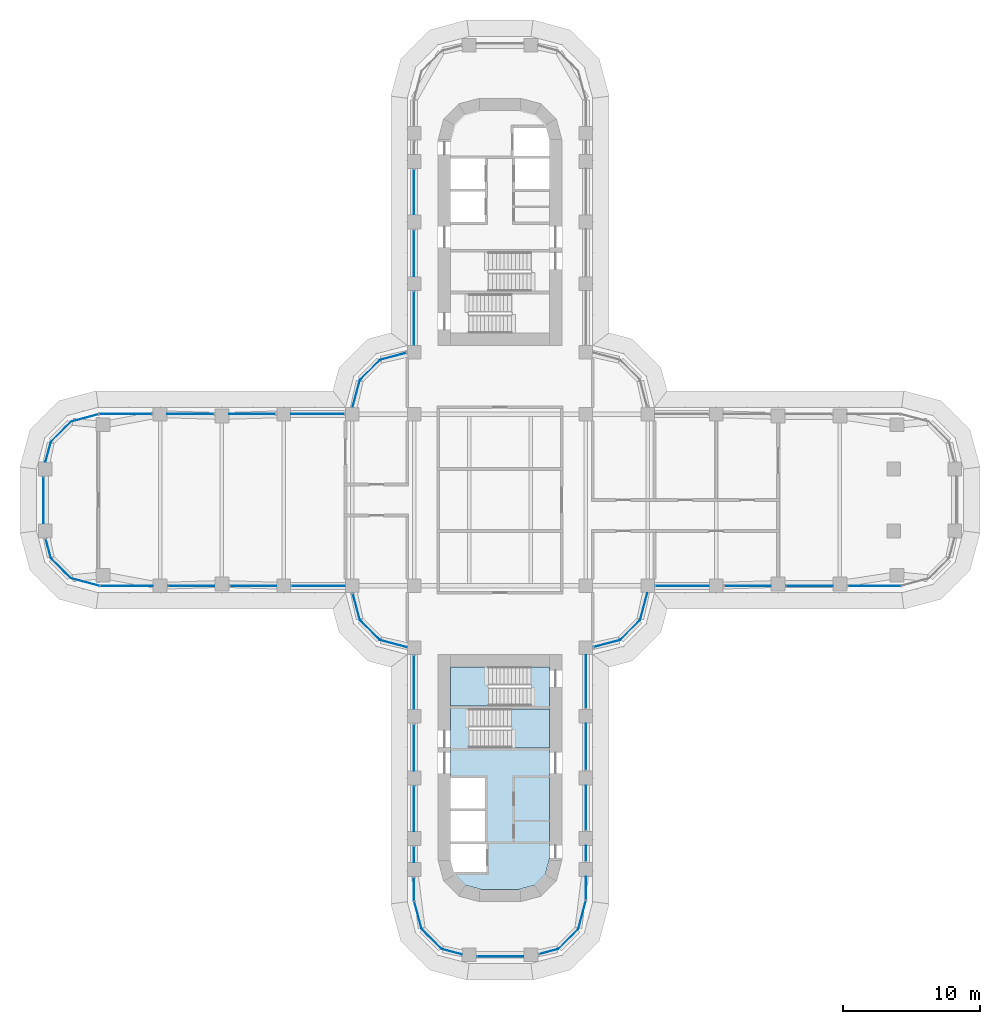
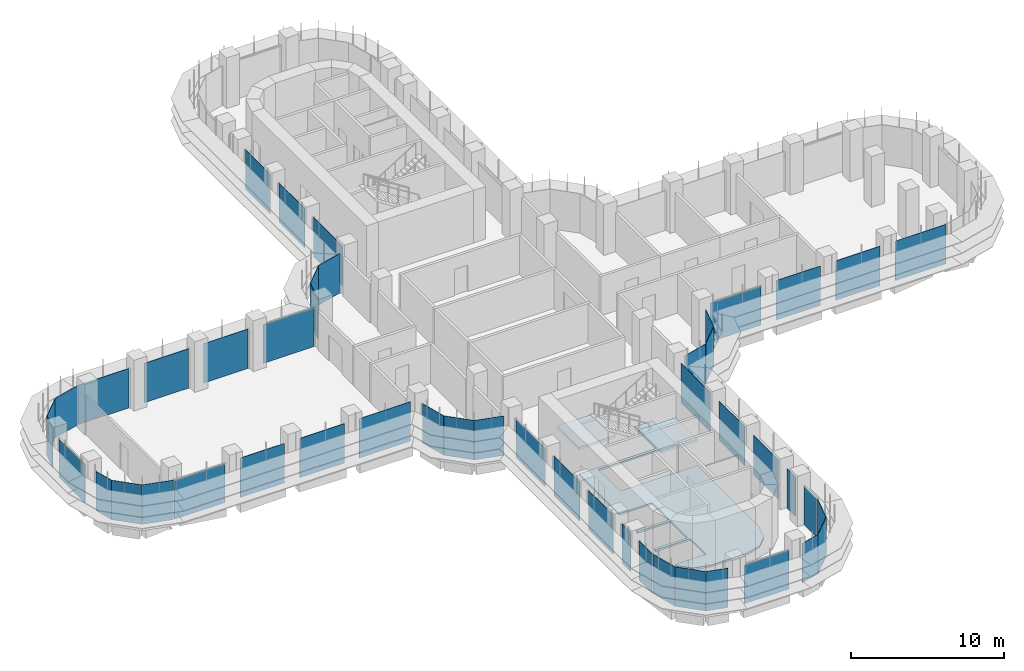
# One storey, part 13 of 23: 48 plates, 3 slabs, 31 elements without a shape of their own.
"""IFC4 building model written with IfcOpenShell, lengths in metres."""

from ifc_helpers import new_model, si_unit, direction, frame, origin, place, context, subcontext, project, spatial, polyline, outline, extrude, source, transform, mapped, material, layer, layer_set, type_object, element, aggregate, save


model = new_model("IFC4")

# Units and contexts
model_context = context("Model", 3, precision=1e-05, world=origin(), true_north=direction((0.0, 1.0)))
body_context = subcontext(model_context, "Body", "Model", "MODEL_VIEW")
ifc_project = project(units=[si_unit("LENGTHUNIT", "METRE"), si_unit("AREAUNIT", "SQUARE_METRE"), si_unit("VOLUMEUNIT", "CUBIC_METRE"), si_unit("PLANEANGLEUNIT", "RADIAN"), si_unit("MASSUNIT", "GRAM", prefix="KILO")], contexts=[model_context])

# Site, building, storey
site_placement = place(None, origin())
site = spatial("IfcSite", under=ifc_project, at=site_placement, CompositionType="ELEMENT")
building_placement = place(site_placement, origin())
building = spatial("IfcBuilding", under=site, at=building_placement, Name="Zarbagh Exchange Tower", CompositionType="ELEMENT")
storey_placement = place(building_placement, frame((0.0, 0.0, 69.0)))
storey = spatial("IfcBuildingStorey", under=building, at=storey_placement, Name="L15", CompositionType="ELEMENT", Elevation=69.0)

# Slab
ifc_material_1 = material(Name="Concrete C40/50", Category="concrete")
ifc_layer_1 = layer(ifc_material_1, 0.14990234375)
ifc_layer_set_1 = layer_set([ifc_layer_1], Name="Core floor slab 150 C40/50")
slab_type_1 = type_object("IfcSlabType", Name="Core floor slab 150 C40/50", PredefinedType="FLOOR", material=ifc_layer_set_1)
slab_1_placement = place(storey_placement, frame((0.0, 0.0, -0.14990234375)))
element("IfcSlab", 1, at=slab_1_placement, inside=storey, type_object=slab_type_1, Name="S17 core S", PredefinedType="FLOOR", context=body_context, shape_type="SweptSolid", body=[
    extrude(outline(polyline([(-2.5341796875, -28.041259765625), (-3.291259765625, -27.2841796875), (-3.340576171875, -27.10009765625), (-1.0, -27.10009765625), (-1.0, -25.050048828125), (-3.60009765625, -25.050048828125), (-3.60009765625, -24.85009765625), (-1.10009765625, -24.85009765625), (-1.10009765625, -22.64990234375), (-3.60009765625, -22.64990234375), (-3.60009765625, -22.449951171875), (-1.10009765625, -22.449951171875), (-1.10009765625, -20.25), (-3.60009765625, -20.25), (-3.60009765625, -15.0), (2.25, -15.0), (2.25, -12.14990234375), (3.60009765625, -12.14990234375), (3.60009765625, -15.199951171875), (-2.25, -15.199951171875), (-2.25, -18.050048828125), (3.60009765625, -18.050048828125), (3.60009765625, -26.131591796875), (3.291259765625, -27.2841796875), (2.5341796875, -28.041259765625), (1.381591796875, -28.35009765625), (-1.381591796875, -28.35009765625), (-2.5341796875, -28.041259765625)])), origin(), (0.0, 0.0, 1.0), 0.14990234375),
])

# Stair, slab
stair_type = type_object("IfcStairType", Name="Exit stair two-flight half-turn", PredefinedType="HALF_TURN_STAIR", material=ifc_material_1)
stair_1_placement = place(storey_placement, origin())
stair_1 = element("IfcStair", 2, at=stair_1_placement, inside=storey, type_object=stair_type, Name="exit stair ST3", PredefinedType="HALF_TURN_STAIR")
ifc_layer_2 = layer(ifc_material_1, 0.199951171875)
ifc_layer_set_2 = layer_set([ifc_layer_2], Name="Stair landing 200 mm")
slab_type_2 = type_object("IfcSlabType", Name="Stair landing 200 mm", PredefinedType="LANDING", material=ifc_layer_set_2)
slab_2_placement = place(storey_placement, frame((0.0, 0.0, 1.89990234375)))
slab_2 = element("IfcSlab", 3, at=slab_2_placement, type_object=slab_type_2, Name="ST3 landing 1", PredefinedType="LANDING", context=body_context, shape_type="SweptSolid", body=[
    extrude(outline(polyline([(0.830078125, -18.050048828125), (3.60009765625, -18.050048828125), (3.60009765625, -15.199951171875), (0.830078125, -15.199951171875), (0.830078125, -18.050048828125)])), origin(), (0.0, 0.0, 1.0), 0.2001953125),
])
aggregate(stair_1, [slab_2])

stair_2_placement = place(storey_placement, origin())
stair_2 = element("IfcStair", 4, at=stair_2_placement, inside=storey, type_object=stair_type, Name="exit stair ST4", PredefinedType="HALF_TURN_STAIR")
slab_3_placement = place(storey_placement, frame((0.0, 0.0, 1.89990234375)))
slab_3 = element("IfcSlab", 5, at=slab_3_placement, type_object=slab_type_2, Name="ST4 landing 1", PredefinedType="LANDING", context=body_context, shape_type="SweptSolid", body=[
    extrude(outline(polyline([(-0.830078125, -12.14990234375), (-3.60009765625, -12.14990234375), (-3.60009765625, -15.0), (-0.830078125, -15.0), (-0.830078125, -12.14990234375)])), origin(), (0.0, 0.0, 1.0), 0.2001953125),
])
aggregate(stair_2, [slab_3])

# Curtain wall, plate
ifc_material_2 = material(Name="Anodised aluminium frame and glazing", Category="aluminium")
curtain_wall_type = type_object("IfcCurtainWallType", Name="CWA Ribbon glazing, lower zones", PredefinedType="NOTDEFINED", material=ifc_material_2)
curtain_wall_1_placement = place(storey_placement, origin())
curtain_wall_1 = element("IfcCurtainWall", 6, at=curtain_wall_1_placement, inside=storey, type_object=curtain_wall_type, Name="CWA01 curtain wall", PredefinedType="NOTDEFINED")
ifc_material_3 = material(Name="Low-e double glazed unit, 6+12+6 mm")
ifc_layer_3 = layer(ifc_material_3, 0.028076171875)
ifc_layer_set_3 = layer_set([ifc_layer_3], Name="PAA Glazing panel, Low-e double glazed unit, 6+12+6 mm")
plate_type = type_object("IfcPlateType", Name="PAA Glazing panel, Low-e double glazed unit, 6+12+6 mm", PredefinedType="CURTAIN_PANEL", material=ifc_layer_set_3)
shared_shape_1 = source(origin(), body_context, "Body", "SweptSolid", [
    extrude(outline(polyline([(0.0, -0.013916015625), (1.4423828125, -0.013916015625), (1.4423828125, 0.013916015625), (0.0, 0.013916015625), (0.0, -0.013916015625)])), origin(), (0.0, 0.0, 1.0), 3.14990234375),
])
placement = place(storey_placement, origin())
plate_1 = element("IfcPlate", 7, at=placement, type_object=plate_type, Name="CWA01 glazing panel 1.1", PredefinedType="CURTAIN_PANEL", context=body_context, shape_type="MappedRepresentation", body=[
    mapped(shared_shape_1, transform((2.847900390625, -33.072021484375, 0.0), x_axis=(0.965924289636, 0.258824779902, 0.0), y_axis=(-0.258824779902, 0.965924289636, 0.0), z_axis=(0.0, 0.0, 1.0))),
])
aggregate(curtain_wall_1, [plate_1])

curtain_wall_2_placement = place(storey_placement, origin())
curtain_wall_2 = element("IfcCurtainWall", 8, at=curtain_wall_2_placement, inside=storey, type_object=curtain_wall_type, Name="CWA37 curtain wall", PredefinedType="NOTDEFINED")
plate_2 = element("IfcPlate", 9, at=placement, type_object=plate_type, Name="CWA37 glazing panel 1.1", PredefinedType="CURTAIN_PANEL", context=body_context, shape_type="MappedRepresentation", body=[
    mapped(shared_shape_1, transform((-33.072021484375, -2.847900390625, 0.0), x_axis=(0.258824779902, -0.965924289636, 0.0), y_axis=(0.965924289636, 0.258824779902, 0.0), z_axis=(0.0, 0.0, 1.0))),
])
aggregate(curtain_wall_2, [plate_2])

curtain_wall_3_placement = place(storey_placement, origin())
curtain_wall_3 = element("IfcCurtainWall", 10, at=curtain_wall_3_placement, inside=storey, type_object=curtain_wall_type, Name="CWA02 curtain wall", PredefinedType="NOTDEFINED")
shared_shape_2 = source(origin(), body_context, "Body", "SweptSolid", [
    extrude(outline(polyline([(0.0, -0.013916015625), (2.061279296875, -0.013916015625), (2.061279296875, 0.013916015625), (0.0, 0.013916015625), (0.0, -0.013916015625)])), origin(), (0.0, 0.0, 1.0), 3.14990234375),
])
plate_3 = element("IfcPlate", 11, at=placement, type_object=plate_type, Name="CWA02 glazing panel 1.1", PredefinedType="CURTAIN_PANEL", context=body_context, shape_type="MappedRepresentation", body=[
    mapped(shared_shape_2, transform((4.2412109375, -32.69873046875, 0.0), x_axis=(0.707106781187, 0.707106781187, 0.0), y_axis=(-0.707106781187, 0.707106781187, 0.0), z_axis=(0.0, 0.0, 1.0))),
])
aggregate(curtain_wall_3, [plate_3])

curtain_wall_4_placement = place(storey_placement, origin())
curtain_wall_4 = element("IfcCurtainWall", 12, at=curtain_wall_4_placement, inside=storey, type_object=curtain_wall_type, Name="CWA06 curtain wall", PredefinedType="NOTDEFINED")
plate_4 = element("IfcPlate", 13, at=placement, type_object=plate_type, Name="CWA06 glazing panel 1.1", PredefinedType="CURTAIN_PANEL", context=body_context, shape_type="MappedRepresentation", body=[
    mapped(shared_shape_2, transform((8.7412109375, -10.19873046875, 0.0), x_axis=(0.707106781187, 0.707106781187, 0.0), y_axis=(-0.707106781187, 0.707106781187, 0.0), z_axis=(0.0, 0.0, 1.0))),
])
aggregate(curtain_wall_4, [plate_4])

curtain_wall_5_placement = place(storey_placement, origin())
curtain_wall_5 = element("IfcCurtainWall", 14, at=curtain_wall_5_placement, inside=storey, type_object=curtain_wall_type, Name="CWA30 curtain wall", PredefinedType="NOTDEFINED")
plate_5 = element("IfcPlate", 15, at=placement, type_object=plate_type, Name="CWA30 glazing panel 1.1", PredefinedType="CURTAIN_PANEL", context=body_context, shape_type="MappedRepresentation", body=[
    mapped(shared_shape_2, transform((-8.7412109375, 10.19873046875, 0.0), x_axis=(-0.707106781187, -0.707106781187, 0.0), y_axis=(0.707106781187, -0.707106781187, 0.0), z_axis=(0.0, 0.0, 1.0))),
])
aggregate(curtain_wall_5, [plate_5])

curtain_wall_6_placement = place(storey_placement, origin())
curtain_wall_6 = element("IfcCurtainWall", 16, at=curtain_wall_6_placement, inside=storey, type_object=curtain_wall_type, Name="CWA34 curtain wall", PredefinedType="NOTDEFINED")
plate_6 = element("IfcPlate", 17, at=placement, type_object=plate_type, Name="CWA34 glazing panel 1.1", PredefinedType="CURTAIN_PANEL", context=body_context, shape_type="MappedRepresentation", body=[
    mapped(shared_shape_2, transform((-31.2412109375, 5.69873046875, 0.0), x_axis=(-0.707106781187, -0.707106781187, 0.0), y_axis=(0.707106781187, -0.707106781187, 0.0), z_axis=(0.0, 0.0, 1.0))),
])
aggregate(curtain_wall_6, [plate_6])

curtain_wall_7_placement = place(storey_placement, origin())
curtain_wall_7 = element("IfcCurtainWall", 18, at=curtain_wall_7_placement, inside=storey, type_object=curtain_wall_type, Name="CWA38 curtain wall", PredefinedType="NOTDEFINED")
plate_7 = element("IfcPlate", 19, at=placement, type_object=plate_type, Name="CWA38 glazing panel 1.1", PredefinedType="CURTAIN_PANEL", context=body_context, shape_type="MappedRepresentation", body=[
    mapped(shared_shape_2, transform((-32.69873046875, -4.2412109375, 0.0), x_axis=(0.707106781187, -0.707106781187, 0.0), y_axis=(0.707106781187, 0.707106781187, 0.0), z_axis=(0.0, 0.0, 1.0))),
])
aggregate(curtain_wall_7, [plate_7])

curtain_wall_8_placement = place(storey_placement, origin())
curtain_wall_8 = element("IfcCurtainWall", 20, at=curtain_wall_8_placement, inside=storey, type_object=curtain_wall_type, Name="CWA42 curtain wall", PredefinedType="NOTDEFINED")
plate_8 = element("IfcPlate", 21, at=placement, type_object=plate_type, Name="CWA42 glazing panel 1.1", PredefinedType="CURTAIN_PANEL", context=body_context, shape_type="MappedRepresentation", body=[
    mapped(shared_shape_2, transform((-10.19873046875, -8.7412109375, 0.0), x_axis=(0.707106781187, -0.707106781187, 0.0), y_axis=(0.707106781187, 0.707106781187, 0.0), z_axis=(0.0, 0.0, 1.0))),
])
aggregate(curtain_wall_8, [plate_8])

curtain_wall_9_placement = place(storey_placement, origin())
curtain_wall_9 = element("IfcCurtainWall", 22, at=curtain_wall_9_placement, inside=storey, type_object=curtain_wall_type, Name="CWA46 curtain wall", PredefinedType="NOTDEFINED")
plate_9 = element("IfcPlate", 23, at=placement, type_object=plate_type, Name="CWA46 glazing panel 1.1", PredefinedType="CURTAIN_PANEL", context=body_context, shape_type="MappedRepresentation", body=[
    mapped(shared_shape_2, transform((-5.69873046875, -31.2412109375, 0.0), x_axis=(0.707106781187, -0.707106781187, 0.0), y_axis=(0.707106781187, 0.707106781187, 0.0), z_axis=(0.0, 0.0, 1.0))),
])
aggregate(curtain_wall_9, [plate_9])

curtain_wall_10_placement = place(storey_placement, origin())
curtain_wall_10 = element("IfcCurtainWall", 24, at=curtain_wall_10_placement, inside=storey, type_object=curtain_wall_type, Name="CWA03 curtain wall", PredefinedType="NOTDEFINED")
shared_shape_3 = source(origin(), body_context, "Body", "SweptSolid", [
    extrude(outline(polyline([(0.0, -0.013916015625), (2.129638671875, -0.013916015625), (2.129638671875, 0.013916015625), (0.0, 0.013916015625), (0.0, -0.013916015625)])), origin(), (0.0, 0.0, 1.0), 3.14990234375),
])
plate_10 = element("IfcPlate", 25, at=placement, type_object=plate_type, Name="CWA03 glazing panel 1.1", PredefinedType="CURTAIN_PANEL", context=body_context, shape_type="MappedRepresentation", body=[
    mapped(shared_shape_3, transform((5.69873046875, -31.2412109375, 0.0), x_axis=(0.258824779902, 0.965924289636, 0.0), y_axis=(-0.965924289636, 0.258824779902, 0.0), z_axis=(0.0, 0.0, 1.0))),
])
aggregate(curtain_wall_10, [plate_10])

curtain_wall_11_placement = place(storey_placement, origin())
curtain_wall_11 = element("IfcCurtainWall", 26, at=curtain_wall_11_placement, inside=storey, type_object=curtain_wall_type, Name="CWA39 curtain wall", PredefinedType="NOTDEFINED")
plate_11 = element("IfcPlate", 27, at=placement, type_object=plate_type, Name="CWA39 glazing panel 1.1", PredefinedType="CURTAIN_PANEL", context=body_context, shape_type="MappedRepresentation", body=[
    mapped(shared_shape_3, transform((-31.2412109375, -5.69873046875, 0.0), x_axis=(0.965924289636, -0.258824779902, 0.0), y_axis=(0.258824779902, 0.965924289636, 0.0), z_axis=(0.0, 0.0, 1.0))),
])
aggregate(curtain_wall_11, [plate_11])

# Curtain wall, plates
curtain_wall_12_placement = place(storey_placement, origin())
curtain_wall_12 = element("IfcCurtainWall", 28, at=curtain_wall_12_placement, inside=storey, type_object=curtain_wall_type, Name="CWA04 curtain wall", PredefinedType="NOTDEFINED")
shared_shape_4 = source(origin(), body_context, "Body", "SweptSolid", [
    extrude(outline(polyline([(0.0, -0.013916015625), (1.68408203125, -0.013916015625), (1.68408203125, 0.013916015625), (0.0, 0.013916015625), (0.0, -0.013916015625)])), origin(), (0.0, 0.0, 1.0), 3.090087890625),
])
plate_12 = element("IfcPlate", 29, at=placement, type_object=plate_type, Name="CWA04 glazing panel 1.1", PredefinedType="CURTAIN_PANEL", context=body_context, shape_type="MappedRepresentation", body=[
    mapped(shared_shape_4, transform((6.25, -29.124267578125, 0.0), x_axis=(0.0, 1.0, 0.0), y_axis=(-1.0, 0.0, 0.0), z_axis=(0.0, 0.0, 1.0))),
])
shared_shape_5 = source(origin(), body_context, "Body", "SweptSolid", [
    extrude(outline(polyline([(0.0, -0.013916015625), (1.110107421875, -0.013916015625), (1.110107421875, 0.013916015625), (0.0, 0.013916015625), (0.0, -0.013916015625)])), origin(), (0.0, 0.0, 1.0), 3.14990234375),
])
plate_13 = element("IfcPlate", 30, at=placement, type_object=plate_type, Name="CWA04 glazing panel 2.1", PredefinedType="CURTAIN_PANEL", context=body_context, shape_type="MappedRepresentation", body=[
    mapped(shared_shape_5, transform((6.25, -26.300048828125, 0.0), x_axis=(0.0, 1.0, 0.0), y_axis=(-1.0, 0.0, 0.0), z_axis=(0.0, 0.0, 1.0))),
])

# Curtain wall, plate
curtain_wall_13_placement = place(storey_placement, origin())
curtain_wall_13 = element("IfcCurtainWall", 31, at=curtain_wall_13_placement, inside=storey, type_object=curtain_wall_type, Name="CWA44 curtain wall", PredefinedType="NOTDEFINED")
plate_14 = element("IfcPlate", 32, at=placement, type_object=plate_type, Name="CWA44 glazing panel 4.1", PredefinedType="CURTAIN_PANEL", context=body_context, shape_type="MappedRepresentation", body=[
    mapped(shared_shape_5, transform((-6.25, -25.25, 0.0), x_axis=(0.0, -1.0, 0.0), y_axis=(1.0, 0.0, 0.0), z_axis=(0.0, 0.0, 1.0))),
])

# Plate
shared_shape_6 = source(origin(), body_context, "Body", "SweptSolid", [
    extrude(outline(polyline([(0.0, -0.013916015625), (3.260009765625, -0.013916015625), (3.260009765625, 0.013916015625), (0.0, 0.013916015625), (0.0, -0.013916015625)])), origin(), (0.0, 0.0, 1.0), 3.14990234375),
])
plate_15 = element("IfcPlate", 33, at=placement, type_object=plate_type, Name="CWA04 glazing panel 3.1", PredefinedType="CURTAIN_PANEL", context=body_context, shape_type="MappedRepresentation", body=[
    mapped(shared_shape_6, transform((6.25, -24.050048828125, 0.0), x_axis=(0.0, 1.0, 0.0), y_axis=(-1.0, 0.0, 0.0), z_axis=(0.0, 0.0, 1.0))),
])

# Curtain wall, plate
curtain_wall_14_placement = place(storey_placement, origin())
curtain_wall_14 = element("IfcCurtainWall", 34, at=curtain_wall_14_placement, inside=storey, type_object=curtain_wall_type, Name="CWA28 curtain wall", PredefinedType="NOTDEFINED")
plate_16 = element("IfcPlate", 35, at=placement, type_object=plate_type, Name="CWA28 glazing panel 3.1", PredefinedType="CURTAIN_PANEL", context=body_context, shape_type="MappedRepresentation", body=[
    mapped(shared_shape_6, transform((-6.25, 24.050048828125, 0.0), x_axis=(0.0, -1.0, 0.0), y_axis=(1.0, 0.0, 0.0), z_axis=(0.0, 0.0, 1.0))),
])

# Plate
plate_17 = element("IfcPlate", 36, at=placement, type_object=plate_type, Name="CWA44 glazing panel 3.1", PredefinedType="CURTAIN_PANEL", context=body_context, shape_type="MappedRepresentation", body=[
    mapped(shared_shape_6, transform((-6.25, -20.85009765625, 0.0), x_axis=(0.0, -1.0, 0.0), y_axis=(1.0, 0.0, 0.0), z_axis=(0.0, 0.0, 1.0))),
])

shared_shape_7 = source(origin(), body_context, "Body", "SweptSolid", [
    extrude(outline(polyline([(0.0, -0.013916015625), (3.360107421875, -0.013916015625), (3.360107421875, 0.013916015625), (0.0, 0.013916015625), (0.0, -0.013916015625)])), origin(), (0.0, 0.0, 1.0), 3.14990234375),
])
plate_18 = element("IfcPlate", 37, at=placement, type_object=plate_type, Name="CWA04 glazing panel 4.1", PredefinedType="CURTAIN_PANEL", context=body_context, shape_type="MappedRepresentation", body=[
    mapped(shared_shape_7, transform((6.25, -19.64990234375, 0.0), x_axis=(0.0, 1.0, 0.0), y_axis=(-1.0, 0.0, 0.0), z_axis=(0.0, 0.0, 1.0))),
])

# Curtain wall, plates
curtain_wall_15_placement = place(storey_placement, origin())
curtain_wall_15 = element("IfcCurtainWall", 38, at=curtain_wall_15_placement, inside=storey, type_object=curtain_wall_type, Name="CWA08 curtain wall", PredefinedType="NOTDEFINED")
plate_19 = element("IfcPlate", 39, at=placement, type_object=plate_type, Name="CWA08 glazing panel 2.1", PredefinedType="CURTAIN_PANEL", context=body_context, shape_type="MappedRepresentation", body=[
    mapped(shared_shape_7, transform((16.35009765625, -6.25, 0.0), x_axis=(1.0, 0.0, 0.0), y_axis=(0.0, 1.0, 0.0), z_axis=(0.0, 0.0, 1.0))),
])
plate_20 = element("IfcPlate", 40, at=placement, type_object=plate_type, Name="CWA08 glazing panel 3.1", PredefinedType="CURTAIN_PANEL", context=body_context, shape_type="MappedRepresentation", body=[
    mapped(shared_shape_7, transform((20.85009765625, -6.25, 0.0), x_axis=(1.0, 0.0, 0.0), y_axis=(0.0, 1.0, 0.0), z_axis=(0.0, 0.0, 1.0))),
])

# Plate
plate_21 = element("IfcPlate", 41, at=placement, type_object=plate_type, Name="CWA28 glazing panel 4.1", PredefinedType="CURTAIN_PANEL", context=body_context, shape_type="MappedRepresentation", body=[
    mapped(shared_shape_7, transform((-6.25, 19.64990234375, 0.0), x_axis=(0.0, -1.0, 0.0), y_axis=(1.0, 0.0, 0.0), z_axis=(0.0, 0.0, 1.0))),
])

# Curtain wall, plates
curtain_wall_16_placement = place(storey_placement, origin())
curtain_wall_16 = element("IfcCurtainWall", 42, at=curtain_wall_16_placement, inside=storey, type_object=curtain_wall_type, Name="CWA32 curtain wall", PredefinedType="NOTDEFINED")
plate_22 = element("IfcPlate", 43, at=placement, type_object=plate_type, Name="CWA32 glazing panel 2.1", PredefinedType="CURTAIN_PANEL", context=body_context, shape_type="MappedRepresentation", body=[
    mapped(shared_shape_7, transform((-16.35009765625, 6.25, 0.0), x_axis=(-1.0, 0.0, 0.0), y_axis=(0.0, -1.0, 0.0), z_axis=(0.0, 0.0, 1.0))),
])
plate_23 = element("IfcPlate", 44, at=placement, type_object=plate_type, Name="CWA32 glazing panel 3.1", PredefinedType="CURTAIN_PANEL", context=body_context, shape_type="MappedRepresentation", body=[
    mapped(shared_shape_7, transform((-20.85009765625, 6.25, 0.0), x_axis=(-1.0, 0.0, 0.0), y_axis=(0.0, -1.0, 0.0), z_axis=(0.0, 0.0, 1.0))),
])

curtain_wall_17_placement = place(storey_placement, origin())
curtain_wall_17 = element("IfcCurtainWall", 45, at=curtain_wall_17_placement, inside=storey, type_object=curtain_wall_type, Name="CWA40 curtain wall", PredefinedType="NOTDEFINED")
plate_24 = element("IfcPlate", 46, at=placement, type_object=plate_type, Name="CWA40 glazing panel 2.1", PredefinedType="CURTAIN_PANEL", context=body_context, shape_type="MappedRepresentation", body=[
    mapped(shared_shape_7, transform((-24.14990234375, -6.25, 0.0), x_axis=(1.0, 0.0, 0.0), y_axis=(0.0, 1.0, 0.0), z_axis=(0.0, 0.0, 1.0))),
])
plate_25 = element("IfcPlate", 47, at=placement, type_object=plate_type, Name="CWA40 glazing panel 3.1", PredefinedType="CURTAIN_PANEL", context=body_context, shape_type="MappedRepresentation", body=[
    mapped(shared_shape_7, transform((-19.64990234375, -6.25, 0.0), x_axis=(1.0, 0.0, 0.0), y_axis=(0.0, 1.0, 0.0), z_axis=(0.0, 0.0, 1.0))),
])

# Plate
plate_26 = element("IfcPlate", 48, at=placement, type_object=plate_type, Name="CWA44 glazing panel 2.1", PredefinedType="CURTAIN_PANEL", context=body_context, shape_type="MappedRepresentation", body=[
    mapped(shared_shape_7, transform((-6.25, -16.35009765625, 0.0), x_axis=(0.0, -1.0, 0.0), y_axis=(1.0, 0.0, 0.0), z_axis=(0.0, 0.0, 1.0))),
])

# Curtain wall, plate
curtain_wall_18_placement = place(storey_placement, origin())
curtain_wall_18 = element("IfcCurtainWall", 49, at=curtain_wall_18_placement, inside=storey, type_object=curtain_wall_type, Name="CWA05 curtain wall", PredefinedType="NOTDEFINED")
shared_shape_8 = source(origin(), body_context, "Body", "SweptSolid", [
    extrude(outline(polyline([(0.0, -0.013916015625), (1.9599609375, -0.013916015625), (1.9599609375, 0.013916015625), (0.0, 0.013916015625), (0.0, -0.013916015625)])), origin(), (0.0, 0.0, 1.0), 3.14990234375),
])
plate_27 = element("IfcPlate", 50, at=placement, type_object=plate_type, Name="CWA05 glazing panel 1.1", PredefinedType="CURTAIN_PANEL", context=body_context, shape_type="MappedRepresentation", body=[
    mapped(shared_shape_8, transform((6.847900390625, -10.7060546875, 0.0), x_axis=(0.965924289636, 0.258824779902, 0.0), y_axis=(-0.258824779902, 0.965924289636, 0.0), z_axis=(0.0, 0.0, 1.0))),
])
aggregate(curtain_wall_18, [plate_27])

curtain_wall_19_placement = place(storey_placement, origin())
curtain_wall_19 = element("IfcCurtainWall", 51, at=curtain_wall_19_placement, inside=storey, type_object=curtain_wall_type, Name="CWA29 curtain wall", PredefinedType="NOTDEFINED")
plate_28 = element("IfcPlate", 52, at=placement, type_object=plate_type, Name="CWA29 glazing panel 1.1", PredefinedType="CURTAIN_PANEL", context=body_context, shape_type="MappedRepresentation", body=[
    mapped(shared_shape_8, transform((-6.847900390625, 10.7060546875, 0.0), x_axis=(-0.965924289636, -0.258824779902, 0.0), y_axis=(0.258824779902, -0.965924289636, 0.0), z_axis=(0.0, 0.0, 1.0))),
])
aggregate(curtain_wall_19, [plate_28])

curtain_wall_20_placement = place(storey_placement, origin())
curtain_wall_20 = element("IfcCurtainWall", 53, at=curtain_wall_20_placement, inside=storey, type_object=curtain_wall_type, Name="CWA41 curtain wall", PredefinedType="NOTDEFINED")
plate_29 = element("IfcPlate", 54, at=placement, type_object=plate_type, Name="CWA41 glazing panel 1.1", PredefinedType="CURTAIN_PANEL", context=body_context, shape_type="MappedRepresentation", body=[
    mapped(shared_shape_8, transform((-10.7060546875, -6.847900390625, 0.0), x_axis=(0.258824779902, -0.965924289636, 0.0), y_axis=(0.965924289636, 0.258824779902, 0.0), z_axis=(0.0, 0.0, 1.0))),
])
aggregate(curtain_wall_20, [plate_29])

curtain_wall_21_placement = place(storey_placement, origin())
curtain_wall_21 = element("IfcCurtainWall", 55, at=curtain_wall_21_placement, inside=storey, type_object=curtain_wall_type, Name="CWA07 curtain wall", PredefinedType="NOTDEFINED")
shared_shape_9 = source(origin(), body_context, "Body", "SweptSolid", [
    extrude(outline(polyline([(0.0, -0.013916015625), (2.02001953125, -0.013916015625), (2.02001953125, 0.013916015625), (0.0, 0.013916015625), (0.0, -0.013916015625)])), origin(), (0.0, 0.0, 1.0), 3.14990234375),
])
plate_30 = element("IfcPlate", 56, at=placement, type_object=plate_type, Name="CWA07 glazing panel 1.1", PredefinedType="CURTAIN_PANEL", context=body_context, shape_type="MappedRepresentation", body=[
    mapped(shared_shape_9, transform((10.19873046875, -8.7412109375, 0.0), x_axis=(0.258824779902, 0.965924289636, 0.0), y_axis=(-0.965924289636, 0.258824779902, 0.0), z_axis=(0.0, 0.0, 1.0))),
])
aggregate(curtain_wall_21, [plate_30])

curtain_wall_22_placement = place(storey_placement, origin())
curtain_wall_22 = element("IfcCurtainWall", 57, at=curtain_wall_22_placement, inside=storey, type_object=curtain_wall_type, Name="CWA31 curtain wall", PredefinedType="NOTDEFINED")
plate_31 = element("IfcPlate", 58, at=placement, type_object=plate_type, Name="CWA31 glazing panel 1.1", PredefinedType="CURTAIN_PANEL", context=body_context, shape_type="MappedRepresentation", body=[
    mapped(shared_shape_9, transform((-10.19873046875, 8.7412109375, 0.0), x_axis=(-0.258824779902, -0.965924289636, 0.0), y_axis=(0.965924289636, -0.258824779902, 0.0), z_axis=(0.0, 0.0, 1.0))),
])
aggregate(curtain_wall_22, [plate_31])

curtain_wall_23_placement = place(storey_placement, origin())
curtain_wall_23 = element("IfcCurtainWall", 59, at=curtain_wall_23_placement, inside=storey, type_object=curtain_wall_type, Name="CWA43 curtain wall", PredefinedType="NOTDEFINED")
plate_32 = element("IfcPlate", 60, at=placement, type_object=plate_type, Name="CWA43 glazing panel 1.1", PredefinedType="CURTAIN_PANEL", context=body_context, shape_type="MappedRepresentation", body=[
    mapped(shared_shape_9, transform((-8.7412109375, -10.19873046875, 0.0), x_axis=(0.965924289636, -0.258824779902, 0.0), y_axis=(0.258824779902, 0.965924289636, 0.0), z_axis=(0.0, 0.0, 1.0))),
])
aggregate(curtain_wall_23, [plate_32])

# Plate
shared_shape_10 = source(origin(), body_context, "Body", "SweptSolid", [
    extrude(outline(polyline([(0.0, -0.013916015625), (3.860107421875, -0.013916015625), (3.860107421875, 0.013916015625), (0.0, 0.013916015625), (0.0, -0.013916015625)])), origin(), (0.0, 0.0, 1.0), 3.090087890625),
])
plate_33 = element("IfcPlate", 61, at=placement, type_object=plate_type, Name="CWA08 glazing panel 1.1", PredefinedType="CURTAIN_PANEL", context=body_context, shape_type="MappedRepresentation", body=[
    mapped(shared_shape_10, transform((11.35009765625, -6.25, 0.0), x_axis=(1.0, 0.0, 0.0), y_axis=(0.0, 1.0, 0.0), z_axis=(0.0, 0.0, 1.0))),
])

plate_34 = element("IfcPlate", 62, at=placement, type_object=plate_type, Name="CWA32 glazing panel 1.1", PredefinedType="CURTAIN_PANEL", context=body_context, shape_type="MappedRepresentation", body=[
    mapped(shared_shape_10, transform((-11.35009765625, 6.25, 0.0), x_axis=(-1.0, 0.0, 0.0), y_axis=(0.0, -1.0, 0.0), z_axis=(0.0, 0.0, 1.0))),
])

plate_35 = element("IfcPlate", 63, at=placement, type_object=plate_type, Name="CWA44 glazing panel 1.1", PredefinedType="CURTAIN_PANEL", context=body_context, shape_type="MappedRepresentation", body=[
    mapped(shared_shape_10, transform((-6.25, -11.35009765625, 0.0), x_axis=(0.0, -1.0, 0.0), y_axis=(1.0, 0.0, 0.0), z_axis=(0.0, 0.0, 1.0))),
])

shared_shape_11 = source(origin(), body_context, "Body", "SweptSolid", [
    extrude(outline(polyline([(0.0, -0.013916015625), (3.833984375, -0.013916015625), (3.833984375, 0.013916015625), (0.0, 0.013916015625), (0.0, -0.013916015625)])), origin(), (0.0, 0.0, 1.0), 3.14990234375),
])
plate_36 = element("IfcPlate", 64, at=placement, type_object=plate_type, Name="CWA08 glazing panel 4.1", PredefinedType="CURTAIN_PANEL", context=body_context, shape_type="MappedRepresentation", body=[
    mapped(shared_shape_11, transform((25.35009765625, -6.25, 0.0), x_axis=(1.0, 0.0, 0.0), y_axis=(0.0, 1.0, 0.0), z_axis=(0.0, 0.0, 1.0))),
])

aggregate(curtain_wall_15, [plate_33, plate_19, plate_20, plate_36])

plate_37 = element("IfcPlate", 65, at=placement, type_object=plate_type, Name="CWA32 glazing panel 4.1", PredefinedType="CURTAIN_PANEL", context=body_context, shape_type="MappedRepresentation", body=[
    mapped(shared_shape_11, transform((-25.35009765625, 6.25, 0.0), x_axis=(-1.0, 0.0, 0.0), y_axis=(0.0, -1.0, 0.0), z_axis=(0.0, 0.0, 1.0))),
])

aggregate(curtain_wall_16, [plate_34, plate_22, plate_23, plate_37])

# Curtain wall, plate
curtain_wall_24_placement = place(storey_placement, origin())
curtain_wall_24 = element("IfcCurtainWall", 66, at=curtain_wall_24_placement, inside=storey, type_object=curtain_wall_type, Name="CWA33 curtain wall", PredefinedType="NOTDEFINED")
shared_shape_12 = source(origin(), body_context, "Body", "SweptSolid", [
    extrude(outline(polyline([(0.0, -0.013916015625), (2.069580078125, -0.013916015625), (2.069580078125, 0.013916015625), (0.0, 0.013916015625), (0.0, -0.013916015625)])), origin(), (0.0, 0.0, 1.0), 3.14990234375),
])
plate_38 = element("IfcPlate", 67, at=placement, type_object=plate_type, Name="CWA33 glazing panel 1.1", PredefinedType="CURTAIN_PANEL", context=body_context, shape_type="MappedRepresentation", body=[
    mapped(shared_shape_12, transform((-29.2421875, 6.234375, 0.0), x_axis=(-0.965924289636, -0.258824779902, 0.0), y_axis=(0.258824779902, -0.965924289636, 0.0), z_axis=(0.0, 0.0, 1.0))),
])
aggregate(curtain_wall_24, [plate_38])

curtain_wall_25_placement = place(storey_placement, origin())
curtain_wall_25 = element("IfcCurtainWall", 68, at=curtain_wall_25_placement, inside=storey, type_object=curtain_wall_type, Name="CWA45 curtain wall", PredefinedType="NOTDEFINED")
plate_39 = element("IfcPlate", 69, at=placement, type_object=plate_type, Name="CWA45 glazing panel 1.1", PredefinedType="CURTAIN_PANEL", context=body_context, shape_type="MappedRepresentation", body=[
    mapped(shared_shape_12, transform((-6.234375, -29.2421875, 0.0), x_axis=(0.258824779902, -0.965924289636, 0.0), y_axis=(0.965924289636, 0.258824779902, 0.0), z_axis=(0.0, 0.0, 1.0))),
])
aggregate(curtain_wall_25, [plate_39])

curtain_wall_26_placement = place(storey_placement, origin())
curtain_wall_26 = element("IfcCurtainWall", 70, at=curtain_wall_26_placement, inside=storey, type_object=curtain_wall_type, Name="CWA35 curtain wall", PredefinedType="NOTDEFINED")
shared_shape_13 = source(origin(), body_context, "Body", "SweptSolid", [
    extrude(outline(polyline([(0.0, -0.013916015625), (1.50244140625, -0.013916015625), (1.50244140625, 0.013916015625), (0.0, 0.013916015625), (0.0, -0.013916015625)])), origin(), (0.0, 0.0, 1.0), 3.14990234375),
])
plate_40 = element("IfcPlate", 71, at=placement, type_object=plate_type, Name="CWA35 glazing panel 1.1", PredefinedType="CURTAIN_PANEL", context=body_context, shape_type="MappedRepresentation", body=[
    mapped(shared_shape_13, transform((-32.69873046875, 4.2412109375, 0.0), x_axis=(-0.258824779902, -0.965924289636, 0.0), y_axis=(0.965924289636, -0.258824779902, 0.0), z_axis=(0.0, 0.0, 1.0))),
])
aggregate(curtain_wall_26, [plate_40])

curtain_wall_27_placement = place(storey_placement, origin())
curtain_wall_27 = element("IfcCurtainWall", 72, at=curtain_wall_27_placement, inside=storey, type_object=curtain_wall_type, Name="CWA47 curtain wall", PredefinedType="NOTDEFINED")
plate_41 = element("IfcPlate", 73, at=placement, type_object=plate_type, Name="CWA47 glazing panel 1.1", PredefinedType="CURTAIN_PANEL", context=body_context, shape_type="MappedRepresentation", body=[
    mapped(shared_shape_13, transform((-4.2412109375, -32.69873046875, 0.0), x_axis=(0.965924289636, -0.258824779902, 0.0), y_axis=(0.258824779902, 0.965924289636, 0.0), z_axis=(0.0, 0.0, 1.0))),
])
aggregate(curtain_wall_27, [plate_41])

curtain_wall_28_placement = place(storey_placement, origin())
curtain_wall_28 = element("IfcCurtainWall", 74, at=curtain_wall_28_placement, inside=storey, type_object=curtain_wall_type, Name="CWA36 curtain wall", PredefinedType="NOTDEFINED")
shared_shape_14 = source(origin(), body_context, "Body", "SweptSolid", [
    extrude(outline(polyline([(0.0, -0.013916015625), (3.360107421875, -0.013916015625), (3.360107421875, 0.013916015625), (0.0, 0.013916015625), (0.0, -0.013916015625)])), origin(), (0.0, 0.0, 1.0), 3.090087890625),
])
plate_42 = element("IfcPlate", 75, at=placement, type_object=plate_type, Name="CWA36 glazing panel 1.1", PredefinedType="CURTAIN_PANEL", context=body_context, shape_type="MappedRepresentation", body=[
    mapped(shared_shape_14, transform((-33.25, 1.64990234375, 0.0), x_axis=(0.0, -1.0, 0.0), y_axis=(1.0, 0.0, 0.0), z_axis=(0.0, 0.0, 1.0))),
])
aggregate(curtain_wall_28, [plate_42])

curtain_wall_29_placement = place(storey_placement, origin())
curtain_wall_29 = element("IfcCurtainWall", 76, at=curtain_wall_29_placement, inside=storey, type_object=curtain_wall_type, Name="CWA48 curtain wall", PredefinedType="NOTDEFINED")
plate_43 = element("IfcPlate", 77, at=placement, type_object=plate_type, Name="CWA48 glazing panel 1.1", PredefinedType="CURTAIN_PANEL", context=body_context, shape_type="MappedRepresentation", body=[
    mapped(shared_shape_14, transform((-1.64990234375, -33.25, 0.0), x_axis=(1.0, 0.0, 0.0), y_axis=(0.0, 1.0, 0.0), z_axis=(0.0, 0.0, 1.0))),
])
aggregate(curtain_wall_29, [plate_43])

# Plate
shared_shape_15 = source(origin(), body_context, "Body", "SweptSolid", [
    extrude(outline(polyline([(0.0, -0.013916015625), (3.834228515625, -0.013916015625), (3.834228515625, 0.013916015625), (0.0, 0.013916015625), (0.0, -0.013916015625)])), origin(), (0.0, 0.0, 1.0), 3.090087890625),
])
plate_44 = element("IfcPlate", 78, at=placement, type_object=plate_type, Name="CWA40 glazing panel 1.1", PredefinedType="CURTAIN_PANEL", context=body_context, shape_type="MappedRepresentation", body=[
    mapped(shared_shape_15, transform((-29.124267578125, -6.25, 0.0), x_axis=(1.0, 0.0, 0.0), y_axis=(0.0, 1.0, 0.0), z_axis=(0.0, 0.0, 1.0))),
])

shared_shape_16 = source(origin(), body_context, "Body", "SweptSolid", [
    extrude(outline(polyline([(0.0, -0.013916015625), (3.860107421875, -0.013916015625), (3.860107421875, 0.013916015625), (0.0, 0.013916015625), (0.0, -0.013916015625)])), origin(), (0.0, 0.0, 1.0), 3.14990234375),
])
plate_45 = element("IfcPlate", 79, at=placement, type_object=plate_type, Name="CWA04 glazing panel 5.1", PredefinedType="CURTAIN_PANEL", context=body_context, shape_type="MappedRepresentation", body=[
    mapped(shared_shape_16, transform((6.25, -15.14990234375, 0.0), x_axis=(0.0, 1.0, 0.0), y_axis=(-1.0, 0.0, 0.0), z_axis=(0.0, 0.0, 1.0))),
])

aggregate(curtain_wall_12, [plate_12, plate_13, plate_15, plate_18, plate_45])

plate_46 = element("IfcPlate", 80, at=placement, type_object=plate_type, Name="CWA28 glazing panel 5.1", PredefinedType="CURTAIN_PANEL", context=body_context, shape_type="MappedRepresentation", body=[
    mapped(shared_shape_16, transform((-6.25, 15.14990234375, 0.0), x_axis=(0.0, -1.0, 0.0), y_axis=(1.0, 0.0, 0.0), z_axis=(0.0, 0.0, 1.0))),
])

aggregate(curtain_wall_14, [plate_16, plate_21, plate_46])

plate_47 = element("IfcPlate", 81, at=placement, type_object=plate_type, Name="CWA40 glazing panel 4.1", PredefinedType="CURTAIN_PANEL", context=body_context, shape_type="MappedRepresentation", body=[
    mapped(shared_shape_16, transform((-15.14990234375, -6.25, 0.0), x_axis=(1.0, 0.0, 0.0), y_axis=(0.0, 1.0, 0.0), z_axis=(0.0, 0.0, 1.0))),
])

aggregate(curtain_wall_17, [plate_44, plate_24, plate_25, plate_47])

shared_shape_17 = source(origin(), body_context, "Body", "SweptSolid", [
    extrude(outline(polyline([(0.0, -0.013916015625), (1.68408203125, -0.013916015625), (1.68408203125, 0.013916015625), (0.0, 0.013916015625), (0.0, -0.013916015625)])), origin(), (0.0, 0.0, 1.0), 3.14990234375),
])
plate_48 = element("IfcPlate", 82, at=placement, type_object=plate_type, Name="CWA44 glazing panel 5.1", PredefinedType="CURTAIN_PANEL", context=body_context, shape_type="MappedRepresentation", body=[
    mapped(shared_shape_17, transform((-6.25, -27.5, 0.0), x_axis=(0.0, -1.0, 0.0), y_axis=(1.0, 0.0, 0.0), z_axis=(0.0, 0.0, 1.0))),
])

aggregate(curtain_wall_13, [plate_35, plate_26, plate_17, plate_14, plate_48])

save(model, "model.ifc")
